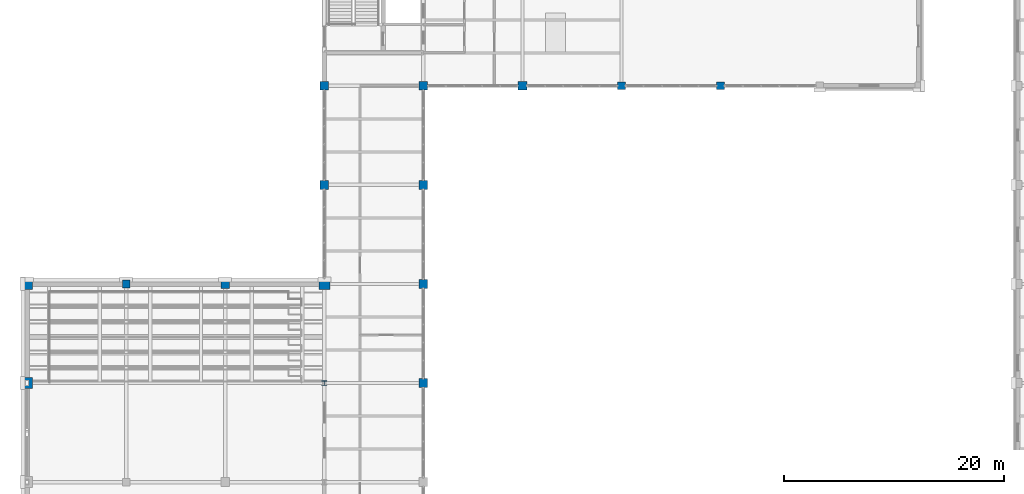
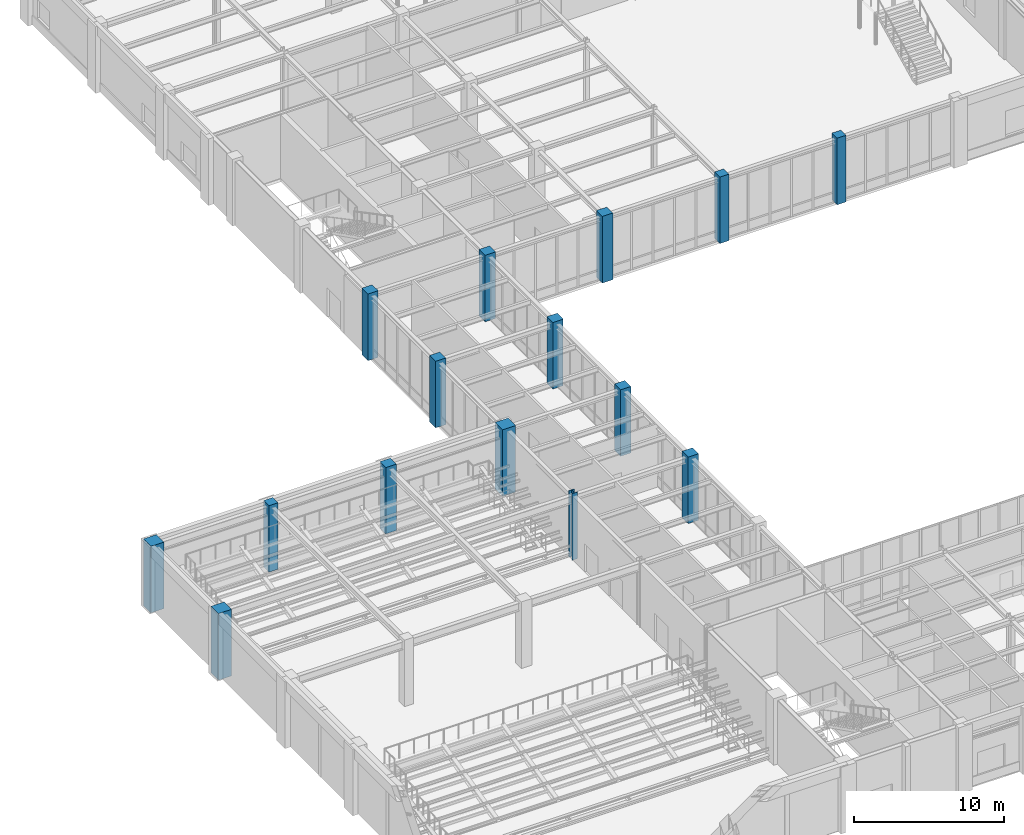
# One storey, part 3 of 77: 15 columns.
"""IFC4 building model written with IfcOpenShell, lengths in metres."""

from ifc_helpers import new_model, si_unit, direction, frame, origin, origin_2d, place, context, subcontext, project, spatial, rectangle, i_section, extrude, material, material_profile, profile_set, type_object, element, save


model = new_model("IFC4")

# Units and contexts
model_context = context("Model", 3, precision=1e-05, world=origin(), true_north=direction((0.0, 1.0)))
body_context = subcontext(model_context, "Body", "Model", "MODEL_VIEW")
ifc_project = project(units=[si_unit("LENGTHUNIT", "METRE"), si_unit("AREAUNIT", "SQUARE_METRE"), si_unit("VOLUMEUNIT", "CUBIC_METRE"), si_unit("PLANEANGLEUNIT", "RADIAN"), si_unit("MASSUNIT", "GRAM", prefix="KILO")], contexts=[model_context])

# Site, building, storey
site_placement = place(None, origin())
site = spatial("IfcSite", under=ifc_project, at=site_placement, CompositionType="ELEMENT")
building_placement = place(site_placement, origin())
building = spatial("IfcBuilding", under=site, at=building_placement, Name="Lykobir Media Centre", CompositionType="ELEMENT")
storey_placement = place(building_placement, origin())
storey = spatial("IfcBuildingStorey", under=building, at=storey_placement, Name="L00", CompositionType="ELEMENT", Elevation=0.0)

# Columns
ifc_material_1 = material(Name="Concrete C40/50", Category="concrete")
ifc_material_profile_1 = material_profile(ifc_material_1, rectangle(XDim=1.0, YDim=1.0, at=origin_2d()), Name="RC 1000x1000")
ifc_profile_set_1 = profile_set([ifc_material_profile_1], Name="Concrete C40/50")
column_type_1 = type_object("IfcColumnType", Name="RC-C1000", PredefinedType="COLUMN", material=ifc_profile_set_1)
column_1_placement = place(storey_placement, frame((27.0, 45.0, 0.0), z_axis=(0.0, 0.0, 1.0), x_axis=(1.0, 0.0, 0.0)))
element("IfcColumn", 1, at=column_1_placement, inside=storey, type_object=column_type_1, Name="Column COL-L00-0270-0450", PredefinedType="COLUMN", context=body_context, shape_type="SweptSolid", body=[
    extrude(rectangle(XDim=1.0, YDim=1.0, at=origin_2d()), origin(), (0.0, 0.0, 1.0), 5.39990234375),
])
ifc_material_profile_2 = material_profile(ifc_material_1, rectangle(XDim=1.0, YDim=1.0, at=origin_2d()), Name="RC 1000x1000")
ifc_profile_set_2 = profile_set([ifc_material_profile_2], Name="Concrete C40/50")
column_type_2 = type_object("IfcColumnType", Name="RC-C1000-E", PredefinedType="COLUMN", material=ifc_profile_set_2)
for number, where, z_axis, x_axis, name in (
    (2, (0.0, 36.0, 0.0), (0.0, 0.0, 1.0), (1.0, 0.0, 0.0), "Column COL-L00-0000-0360"),
    (3, (0.0, 45.0, 0.0), (0.0, 0.0, 1.0), (1.0, 0.0, 0.0), "Column COL-L00-0000-0450"),
):
    element("IfcColumn", number, at=place(storey_placement, frame(where, z_axis=z_axis, x_axis=x_axis)), inside=storey, type_object=column_type_2, Name=name, PredefinedType="COLUMN", context=body_context, shape_type="SweptSolid", body=[
        extrude(rectangle(XDim=1.0, YDim=1.0, at=origin_2d()), origin(), (0.0, 0.0, 1.0), 5.39990234375),
    ])
ifc_material_profile_3 = material_profile(ifc_material_1, rectangle(XDim=0.699951171875, YDim=0.699951171875, at=origin_2d()), Name="RC 700x700")
ifc_profile_set_3 = profile_set([ifc_material_profile_3], Name="Concrete C40/50")
column_type_3 = type_object("IfcColumnType", Name="RC-C700", PredefinedType="COLUMN", material=ifc_profile_set_3)
for number, where, z_axis, x_axis, name in (
    (4, (9.0, 45.0, 0.0), (0.0, 0.0, 1.0), (1.0, 0.0, 0.0), "Column COL-L00-0090-0450"),
    (5, (54.0, 63.0, 0.0), (0.0, 0.0, 1.0), (1.0, 0.0, 0.0), "Column COL-L00-0540-0630"),
    (6, (63.0, 63.0, 0.0), (0.0, 0.0, 1.0), (1.0, 0.0, 0.0), "Column COL-L00-0630-0630"),
):
    element("IfcColumn", number, at=place(storey_placement, frame(where, z_axis=z_axis, x_axis=x_axis)), inside=storey, type_object=column_type_3, Name=name, PredefinedType="COLUMN", context=body_context, shape_type="SweptSolid", body=[
        extrude(rectangle(XDim=0.699951171875, YDim=0.699951171875, at=origin_2d()), origin(), (0.0, 0.0, 1.0), 5.39990234375),
    ])
ifc_material_profile_4 = material_profile(ifc_material_1, rectangle(XDim=0.800048828125, YDim=0.800048828125, at=origin_2d()), Name="RC 800x800")
ifc_profile_set_4 = profile_set([ifc_material_profile_4], Name="Concrete C40/50")
column_type_4 = type_object("IfcColumnType", Name="RC-C800", PredefinedType="COLUMN", material=ifc_profile_set_4)
for number, where, z_axis, x_axis, name in (
    (7, (18.0, 45.0, 0.0), (0.0, 0.0, 1.0), (1.0, 0.0, 0.0), "Column COL-L00-0180-0450"),
    (8, (27.0, 54.0, 0.0), (0.0, 0.0, 1.0), (1.0, 0.0, 0.0), "Column COL-L00-0270-0540"),
    (9, (27.0, 63.0, 0.0), (0.0, 0.0, 1.0), (1.0, 0.0, 0.0), "Column COL-L00-0270-0630"),
    (10, (36.0, 36.0, 0.0), (0.0, 0.0, 1.0), (1.0, 0.0, 0.0), "Column COL-L00-0360-0360"),
    (11, (36.0, 45.0, 0.0), (0.0, 0.0, 1.0), (1.0, 0.0, 0.0), "Column COL-L00-0360-0450"),
    (12, (36.0, 54.0, 0.0), (0.0, 0.0, 1.0), (1.0, 0.0, 0.0), "Column COL-L00-0360-0540"),
    (13, (36.0, 63.0, 0.0), (0.0, 0.0, 1.0), (1.0, 0.0, 0.0), "Column COL-L00-0360-0630"),
    (14, (45.0, 63.0, 0.0), (0.0, 0.0, 1.0), (1.0, 0.0, 0.0), "Column COL-L00-0450-0630"),
):
    element("IfcColumn", number, at=place(storey_placement, frame(where, z_axis=z_axis, x_axis=x_axis)), inside=storey, type_object=column_type_4, Name=name, PredefinedType="COLUMN", context=body_context, shape_type="SweptSolid", body=[
        extrude(rectangle(XDim=0.800048828125, YDim=0.800048828125, at=origin_2d()), origin(), (0.0, 0.0, 1.0), 5.39990234375),
    ])
ifc_material_2 = material(Name="Steel S355", Category="steel")
ifc_material_profile_5 = material_profile(ifc_material_2, i_section(OverallWidth=0.416015625, OverallDepth=0.446044921875, WebThickness=0.02490234375, FlangeThickness=0.0400390625, at=origin_2d()), Name="HD 400x509")
ifc_profile_set_5 = profile_set([ifc_material_profile_5], Name="Steel S355")
column_type_5 = type_object("IfcColumnType", Name="SC-HD509", PredefinedType="COLUMN", material=ifc_profile_set_5)
column_2_placement = place(storey_placement, frame((27.0, 36.0, 0.0), z_axis=(0.0, 0.0, 1.0), x_axis=(1.0, 0.0, 0.0)))
element("IfcColumn", 15, at=column_2_placement, inside=storey, type_object=column_type_5, Name="Column COL-L00-0270-0360", PredefinedType="COLUMN", context=body_context, shape_type="SweptSolid", body=[
    extrude(i_section(OverallWidth=0.416015625, OverallDepth=0.446044921875, WebThickness=0.02490234375, FlangeThickness=0.0400390625, at=origin_2d()), origin(), (0.0, 0.0, 1.0), 5.39990234375),
])

save(model, "model.ifc")
